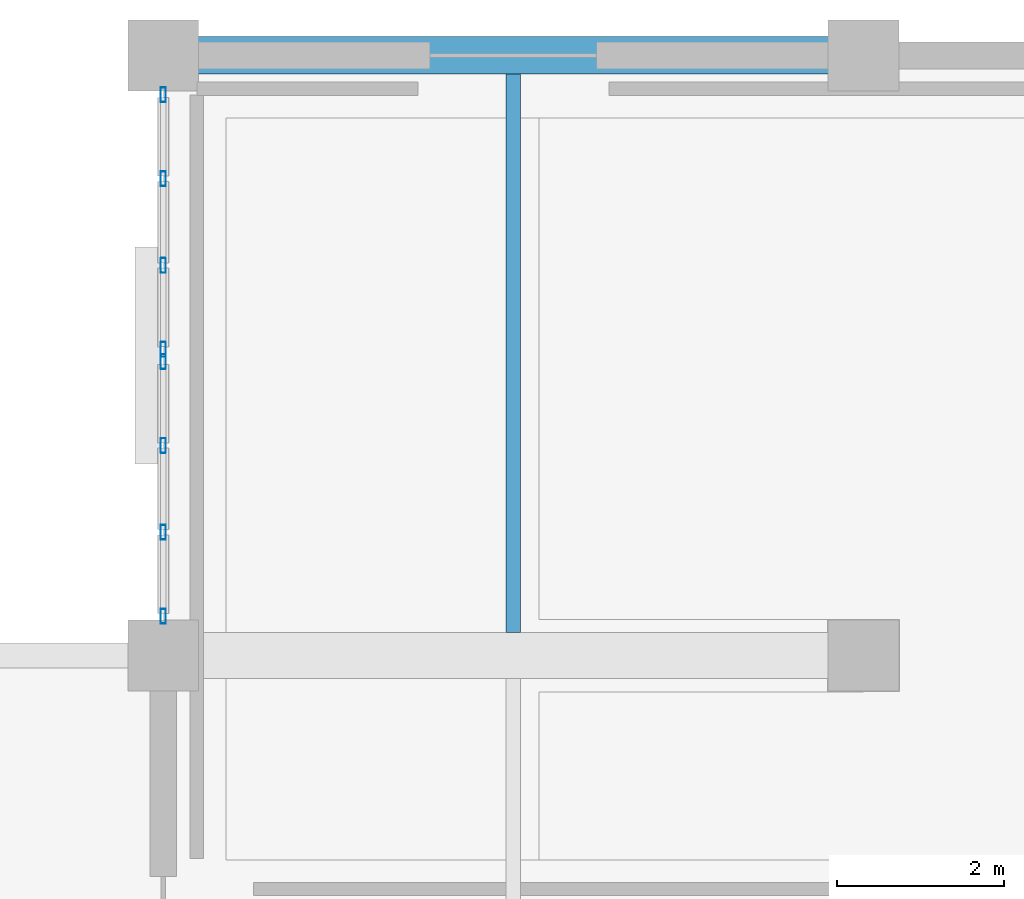
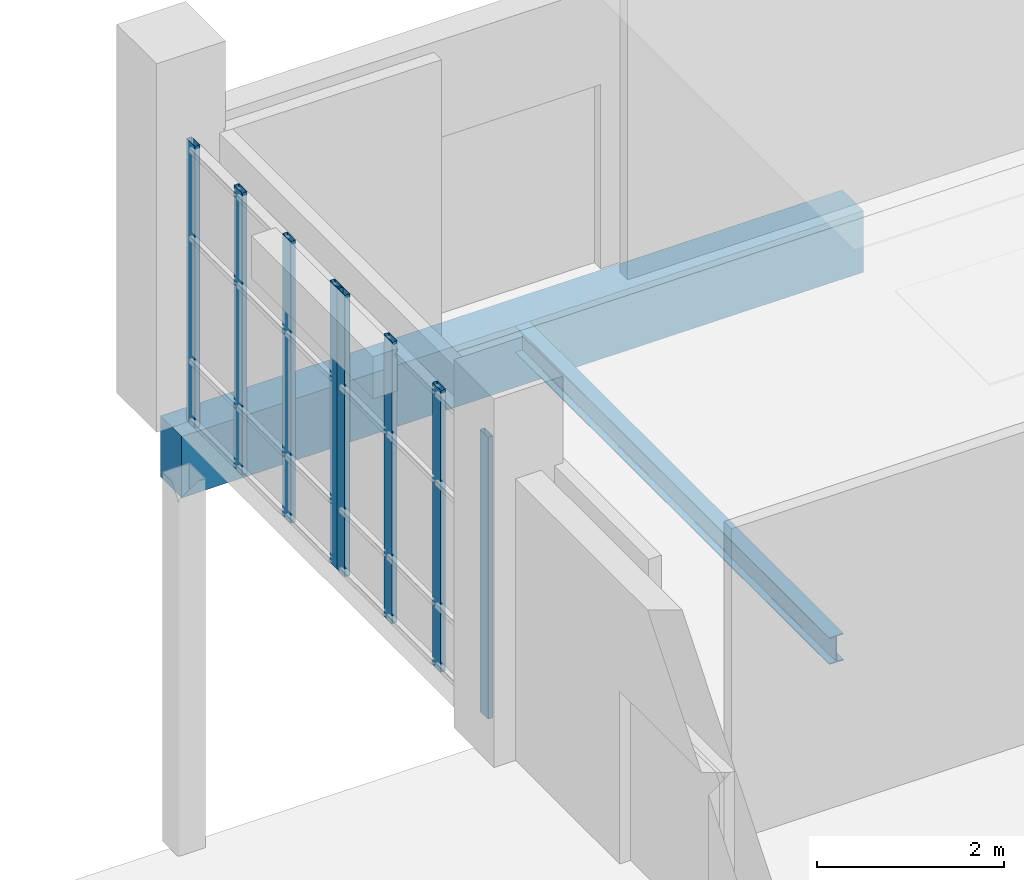
# One storey, part 31 of 97: 8 members, 2 beams, 2 elements without a shape of their own.
"""IFC4 building model written with IfcOpenShell, lengths in metres."""

from ifc_helpers import new_model, si_unit, direction, frame, origin, origin_2d, place, context, subcontext, project, spatial, rectangle, hollow_rectangle, i_section, extrude, material, layer, layer_set, material_profile, profile_set, type_object, element, aggregate, save


model = new_model("IFC4")

# Units and contexts
model_context = context("Model", 3, precision=1e-05, world=origin(), true_north=direction((0.0, 1.0)))
body_context = subcontext(model_context, "Body", "Model", "MODEL_VIEW")
ifc_project = project(units=[si_unit("LENGTHUNIT", "METRE"), si_unit("AREAUNIT", "SQUARE_METRE"), si_unit("VOLUMEUNIT", "CUBIC_METRE"), si_unit("PLANEANGLEUNIT", "RADIAN"), si_unit("MASSUNIT", "GRAM", prefix="KILO")], contexts=[model_context])

# Site, building, storey
site_placement = place(None, origin())
site = spatial("IfcSite", under=ifc_project, at=site_placement, CompositionType="ELEMENT")
building_placement = place(site_placement, origin())
building = spatial("IfcBuilding", under=site, at=building_placement, Name="Kisaragi Civic Commons", CompositionType="ELEMENT")
storey_placement = place(building_placement, origin())
storey = spatial("IfcBuildingStorey", under=building, at=storey_placement, Name="L00", CompositionType="ELEMENT", Elevation=0.0)

# Curtain wall, members
ifc_material_1 = material(Name="Thermally broken anodized aluminium and low-E double glazing", Category="aluminium")
ifc_layer = layer(ifc_material_1, 0.179931640625, Name="Thermally broken anodized aluminium and low-E double glazing", Category="aluminium")
ifc_layer_set = layer_set([ifc_layer], Name="Thermally broken anodized aluminium and low-E double glazing")
curtain_wall_type = type_object("IfcCurtainWallType", Name="CW-01", PredefinedType="NOTDEFINED", material=ifc_layer_set)
curtain_wall_1_placement = place(storey_placement, origin())
curtain_wall_1 = element("IfcCurtainWall", 1, at=curtain_wall_1_placement, inside=storey, type_object=curtain_wall_type, Name="L00 curtain wall CW-01 CW-V4-L00-057", PredefinedType="NOTDEFINED")
ifc_material_profile_1 = material_profile(ifc_material_1, hollow_rectangle(XDim=0.06494140625, YDim=0.179931640625, WallThickness=0.00439453125, InnerFilletRadius=0.00439453125, OuterFilletRadius=0.009033203125, at=origin_2d()), Name="CWM-65x180x4.5", Category="aluminium")
ifc_profile_set_1 = profile_set([ifc_material_profile_1], Name="Thermally broken anodized aluminium and low-E double glazing")
member_type = type_object("IfcMemberType", Name="CWM-02", PredefinedType="MULLION", material=ifc_profile_set_1)
member_1_placement = place(storey_placement, frame((72.0, 112.072509765625, 0.0), z_axis=(0.0, 0.0, 1.0), x_axis=(-1.0, 0.0, 0.0)))
member_1 = element("IfcMember", 2, at=member_1_placement, type_object=member_type, Name="CW-01 mullion 1", PredefinedType="MULLION", context=body_context, shape_type="SweptSolid", body=[
    extrude(hollow_rectangle(XDim=0.06494140625, YDim=0.179931640625, WallThickness=0.00439453125, InnerFilletRadius=0.00439453125, OuterFilletRadius=0.009033203125, at=origin_2d()), origin(), (0.0, 0.0, 1.0), 3.669921875),
])
member_2_placement = place(storey_placement, frame((72.0, 113.080078125, 0.0), z_axis=(0.0, 0.0, 1.0), x_axis=(-1.0, 0.0, 0.0)))
member_2 = element("IfcMember", 3, at=member_2_placement, type_object=member_type, Name="CW-01 mullion 2", PredefinedType="MULLION", context=body_context, shape_type="SweptSolid", body=[
    extrude(hollow_rectangle(XDim=0.06494140625, YDim=0.179931640625, WallThickness=0.00439453125, InnerFilletRadius=0.00439453125, OuterFilletRadius=0.009033203125, at=origin_2d()), origin(), (0.0, 0.0, 1.0), 3.669921875),
])
member_3_placement = place(storey_placement, frame((72.0, 114.1201171875, 0.0), z_axis=(0.0, 0.0, 1.0), x_axis=(-1.0, 0.0, 0.0)))
member_3 = element("IfcMember", 4, at=member_3_placement, type_object=member_type, Name="CW-01 mullion 3", PredefinedType="MULLION", context=body_context, shape_type="SweptSolid", body=[
    extrude(hollow_rectangle(XDim=0.06494140625, YDim=0.179931640625, WallThickness=0.00439453125, InnerFilletRadius=0.00439453125, OuterFilletRadius=0.009033203125, at=origin_2d()), origin(), (0.0, 0.0, 1.0), 3.669921875),
])
member_4_placement = place(storey_placement, frame((72.0, 115.12744140625, 0.0), z_axis=(0.0, 0.0, 1.0), x_axis=(-1.0, 0.0, 0.0)))
member_4 = element("IfcMember", 5, at=member_4_placement, type_object=member_type, Name="CW-01 mullion 4", PredefinedType="MULLION", context=body_context, shape_type="SweptSolid", body=[
    extrude(hollow_rectangle(XDim=0.06494140625, YDim=0.179931640625, WallThickness=0.00439453125, InnerFilletRadius=0.00439453125, OuterFilletRadius=0.009033203125, at=origin_2d()), origin(), (0.0, 0.0, 1.0), 3.669921875),
])
aggregate(curtain_wall_1, [member_1, member_2, member_3, member_4])

curtain_wall_2_placement = place(storey_placement, origin())
curtain_wall_2 = element("IfcCurtainWall", 6, at=curtain_wall_2_placement, inside=storey, type_object=curtain_wall_type, Name="L00 curtain wall CW-01 CW-V4-L00-058", PredefinedType="NOTDEFINED")
member_5_placement = place(storey_placement, frame((72.0, 115.2724609375, 0.0), z_axis=(0.0, 0.0, 1.0), x_axis=(-1.0, 0.0, 0.0)))
member_5 = element("IfcMember", 7, at=member_5_placement, type_object=member_type, Name="CW-01 mullion 1", PredefinedType="MULLION", context=body_context, shape_type="SweptSolid", body=[
    extrude(hollow_rectangle(XDim=0.06494140625, YDim=0.179931640625, WallThickness=0.00439453125, InnerFilletRadius=0.00439453125, OuterFilletRadius=0.009033203125, at=origin_2d()), origin(), (0.0, 0.0, 1.0), 3.669921875),
])
member_6_placement = place(storey_placement, frame((72.0, 116.280029296875, 0.0), z_axis=(0.0, 0.0, 1.0), x_axis=(-1.0, 0.0, 0.0)))
member_6 = element("IfcMember", 8, at=member_6_placement, type_object=member_type, Name="CW-01 mullion 2", PredefinedType="MULLION", context=body_context, shape_type="SweptSolid", body=[
    extrude(hollow_rectangle(XDim=0.06494140625, YDim=0.179931640625, WallThickness=0.00439453125, InnerFilletRadius=0.00439453125, OuterFilletRadius=0.009033203125, at=origin_2d()), origin(), (0.0, 0.0, 1.0), 3.669921875),
])
member_7_placement = place(storey_placement, frame((72.0, 117.320068359375, 0.0), z_axis=(0.0, 0.0, 1.0), x_axis=(-1.0, 0.0, 0.0)))
member_7 = element("IfcMember", 9, at=member_7_placement, type_object=member_type, Name="CW-01 mullion 3", PredefinedType="MULLION", context=body_context, shape_type="SweptSolid", body=[
    extrude(hollow_rectangle(XDim=0.06494140625, YDim=0.179931640625, WallThickness=0.00439453125, InnerFilletRadius=0.00439453125, OuterFilletRadius=0.009033203125, at=origin_2d()), origin(), (0.0, 0.0, 1.0), 3.669921875),
])
member_8_placement = place(storey_placement, frame((72.0, 118.327392578125, 0.0), z_axis=(0.0, 0.0, 1.0), x_axis=(-1.0, 0.0, 0.0)))
member_8 = element("IfcMember", 10, at=member_8_placement, type_object=member_type, Name="CW-01 mullion 4", PredefinedType="MULLION", context=body_context, shape_type="SweptSolid", body=[
    extrude(hollow_rectangle(XDim=0.06494140625, YDim=0.179931640625, WallThickness=0.00439453125, InnerFilletRadius=0.00439453125, OuterFilletRadius=0.009033203125, at=origin_2d()), origin(), (0.0, 0.0, 1.0), 3.669921875),
])
aggregate(curtain_wall_2, [member_5, member_6, member_7, member_8])

# Beams
ifc_material_2 = material(Name="Steel SN400 (SN400B)", Category="steel")
ifc_material_profile_2 = material_profile(ifc_material_2, i_section(OverallWidth=0.175048828125, OverallDepth=0.35009765625, WebThickness=0.007080078125, FlangeThickness=0.010986328125, FilletRadius=0.012939453125, at=origin_2d()), Name="H-350x175x7x11", Category="steel")
ifc_profile_set_2 = profile_set([ifc_material_profile_2], Name="Steel SN400 (SN400B)")
beam_type_1 = type_object("IfcBeamType", Name="J-02", PredefinedType="JOIST", material=ifc_profile_set_2)
beam_1_placement = place(storey_placement, frame((76.199951171875, 111.875, -0.5), z_axis=(0.0, 1.0, 0.0), x_axis=(-1.0, 0.0, 0.0)))
element("IfcBeam", 11, at=beam_1_placement, inside=storey, type_object=beam_type_1, Name="L00 secondary steel joist J-02 32", PredefinedType="JOIST", context=body_context, shape_type="SweptSolid", body=[
    extrude(i_section(OverallWidth=0.175048828125, OverallDepth=0.35009765625, WebThickness=0.007080078125, FlangeThickness=0.010986328125, FilletRadius=0.012939453125, at=origin_2d()), origin(), (0.0, 0.0, 1.0), 6.699951171875),
])
ifc_material_3 = material(Name="Concrete Fc30", Category="concrete")
ifc_material_profile_3 = material_profile(ifc_material_3, rectangle(XDim=0.449951171875, YDim=0.800048828125, at=origin_2d()), Name="RC-450x800", Category="concrete")
ifc_profile_set_3 = profile_set([ifc_material_profile_3], Name="Concrete Fc30")
beam_type_2 = type_object("IfcBeamType", Name="SPB-01", PredefinedType="SPANDREL", material=ifc_profile_set_3)
beam_2_placement = place(storey_placement, frame((72.0, 118.800048828125, -0.72509765625), z_axis=(1.0, 0.0, 0.0), x_axis=(0.0, 1.0, 0.0)))
element("IfcBeam", 12, at=beam_2_placement, inside=storey, type_object=beam_type_2, Name="L00 girder SPB-01 125", PredefinedType="SPANDREL", context=body_context, shape_type="SweptSolid", body=[
    extrude(rectangle(XDim=0.449951171875, YDim=0.800048828125, at=origin_2d()), origin(), (0.0, 0.0, 1.0), 8.39990234375),
])

save(model, "model.ifc")
